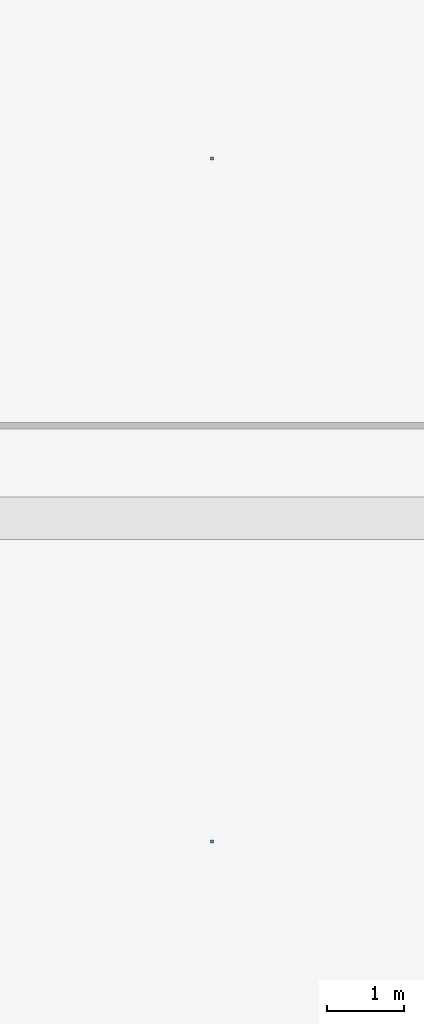
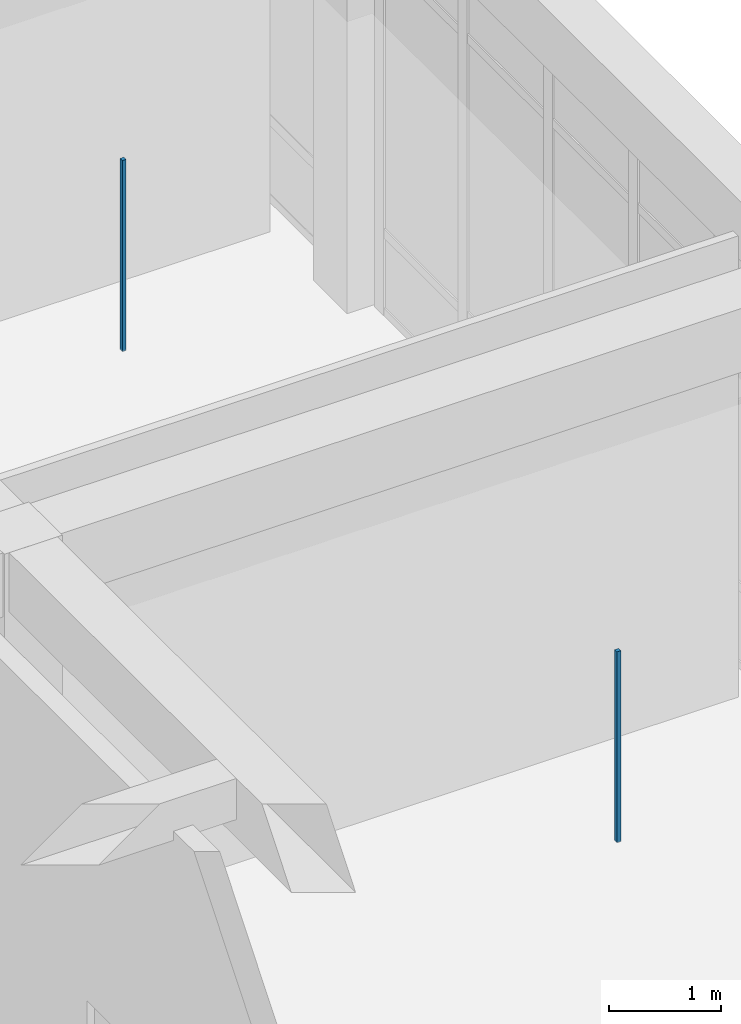
# One storey, part 103 of 157: 2 discrete accessories.
"""IFC4 building model written with IfcOpenShell, lengths in metres."""

import ifcopenshell
import ifcopenshell.guid

model = None  # the IFC model being written
_history = None  # IfcOwnerHistory: only IFC2X3 demands one
_inside = {}  # id of a spatial element -> (the spatial element, [elements in it])
_under = {}  # id of a project, library or spatial element -> (it, [spatial elements below it])
_declared = {}  # id of a project -> (the project, [libraries it declares])
_typed = {}  # id of a type object -> (the type object, [elements of that type])
_made_of = {}  # id of a material, layer set ... -> (it, [elements and type objects made of it])


def new_model(schema):
    """Start an empty IFC model of exactly this schema.

    Asked for "IFC4X3", IfcOpenShell would pick the latest addendum, in which some entities
    have other attributes; the version numbers below select the first issue.
    IFC2X3 requires an IfcOwnerHistory on every rooted entity: one is made here for all.
    """
    global model, _history
    if schema == "IFC4X3":
        model = ifcopenshell.file(schema_version=(4, 3, 0, 0))
    else:
        model = ifcopenshell.file(schema=schema)
    _inside.clear()
    _under.clear()
    _declared.clear()
    _typed.clear()
    _made_of.clear()
    _history = None
    if model.schema == "IFC2X3":
        org = make("IfcOrganization", Name="unknown")
        user = make(
            "IfcPersonAndOrganization",
            ThePerson=make("IfcPerson", FamilyName="unknown"),
            TheOrganization=org,
        )
        app = make(
            "IfcApplication",
            ApplicationDeveloper=org,
            Version="unknown",
            ApplicationFullName="unknown",
            ApplicationIdentifier="unknown",
        )
        _history = make(
            "IfcOwnerHistory",
            OwningUser=user,
            OwningApplication=app,
            ChangeAction="ADDED",
            CreationDate=0,
        )
    return model


def make(cls, **values):
    """One entity of the class cls with the attributes given. An attribute that is None is left unset."""
    return model.create_entity(
        cls, **{name: value for name, value in values.items() if value is not None}
    )


def rooted(cls, **values):
    """An entity with a GlobalId (a new one), such as an element, a storey or a relation."""
    return make(cls, GlobalId=ifcopenshell.guid.new(), OwnerHistory=_history, **values)


def si_unit(unit_type, name, prefix=None):
    """IfcSIUnit, for example si_unit("LENGTHUNIT", "METRE", prefix="MILLI")."""
    return make("IfcSIUnit", UnitType=unit_type, Prefix=prefix, Name=name)


def assignment(units):
    """IfcUnitAssignment: the units of a project."""
    return None if units is None else make("IfcUnitAssignment", Units=units)


def point(xyz):
    """IfcCartesianPoint."""
    return None if xyz is None else make("IfcCartesianPoint", Coordinates=xyz)


def direction(xyz):
    """IfcDirection."""
    return None if xyz is None else make("IfcDirection", DirectionRatios=xyz)


def frame(location, z_axis=None, x_axis=None):
    """IfcAxis2Placement3D, a coordinate frame: its origin and axes. An axis left out is left unset."""
    return make(
        "IfcAxis2Placement3D",
        Location=point(location),
        Axis=direction(z_axis),
        RefDirection=direction(x_axis),
    )


def frame_2d(location, x_axis=None):
    """IfcAxis2Placement2D, a coordinate frame in the plane: its origin and x axis."""
    return make(
        "IfcAxis2Placement2D", Location=point(location), RefDirection=direction(x_axis)
    )


def origin():
    """The frame at (0, 0, 0) with its axes left unset."""
    return frame((0.0, 0.0, 0.0))


def origin_2d():
    """The frame at (0, 0) in the plane with its x axis left unset."""
    return frame_2d((0.0, 0.0))


def place(relative_to, where):
    """IfcLocalPlacement: puts the frame where relative to a parent placement (None: the world)."""
    return make(
        "IfcLocalPlacement", PlacementRelTo=relative_to, RelativePlacement=where
    )


def context(
    kind, dimensions, precision=None, world=None, true_north=None, identifier=None
):
    """IfcGeometricRepresentationContext, for example the 3D "Model" context."""
    return make(
        "IfcGeometricRepresentationContext",
        ContextIdentifier=identifier,
        ContextType=kind,
        CoordinateSpaceDimension=dimensions,
        Precision=precision,
        WorldCoordinateSystem=world,
        TrueNorth=true_north,
    )


def subcontext(parent, identifier, kind, view, scale=None):
    """IfcGeometricRepresentationSubContext, for example "Body" below "Model"."""
    return make(
        "IfcGeometricRepresentationSubContext",
        ContextIdentifier=identifier,
        ContextType=kind,
        ParentContext=parent,
        TargetScale=scale,
        TargetView=view,
    )


def project(units=None, contexts=None):
    """IfcProject with its units and contexts."""
    return rooted(
        "IfcProject",
        Name="project",
        RepresentationContexts=contexts,
        UnitsInContext=assignment(units),
    )


def spatial(cls, under=None, at=None, **own):
    """A site, building, storey or space (cls), placed at a placement, below another one or the project."""
    s = rooted(cls, ObjectPlacement=at, **own)
    if under is not None:
        _under.setdefault(under.id(), (under, []))[1].append(s)
    return s


def profile(cls, at=None, kind="AREA", **sizes):
    """A parametric profile (cls). Its sizes go by their IFC names, for example OverallWidth=200.0."""
    return make(cls, ProfileType=kind, Position=at, **sizes)


def rectangle(**sizes):
    """IfcRectangleProfileDef."""
    return profile("IfcRectangleProfileDef", **sizes)


def extrude(swept, where, along, depth):
    """IfcExtrudedAreaSolid: the profile swept, set in the frame where, extruded along a direction by depth."""
    return make(
        "IfcExtrudedAreaSolid",
        SweptArea=swept,
        Position=where,
        ExtrudedDirection=direction(along),
        Depth=depth,
    )


def shape(context_of_items, identifier, shape_type, items):
    """IfcShapeRepresentation: the items that make up one representation, for example the "Body"."""
    return make(
        "IfcShapeRepresentation",
        ContextOfItems=context_of_items,
        RepresentationIdentifier=identifier,
        RepresentationType=shape_type,
        Items=items,
    )


def material(Name=None, Category=None):
    """IfcMaterial."""
    return make("IfcMaterial", Name=Name, Category=Category)


def made_of(thing, what):
    """Note that an element or type object is made of a material, layer set ...; save() writes the relation."""
    if what is not None:
        _made_of.setdefault(what.id(), (what, []))[1].append(thing)
    return thing


def type_object(cls, material=None, **own):
    """A type object (cls), such as IfcWallType, which elements share."""
    return made_of(rooted(cls, **own), material)


def element(
    cls,
    number,
    at=None,
    inside=None,
    cuts=None,
    type_object=None,
    material=None,
    context=None,
    identifier="Body",
    shape_type=None,
    held_by="IfcProductDefinitionShape",
    body=None,
    shapes=None,
    **own,
):
    """One element of the class cls, such as IfcWall. Its Tag is "e" and its number.

    at: its placement. inside: the storey or other place that contains it. cuts: it is an
    opening in that element (IfcRelVoidsElement). A single representation is given by context,
    identifier, shape_type and body (its items); several are given by shapes. held_by: the class
    of the entity that holds the representations. save() writes the other relations.
    """
    e = rooted(cls, Tag="e%d" % number, ObjectPlacement=at, **own)
    if body is not None:
        shapes = [shape(context, identifier, shape_type, body)]
    if shapes is not None:
        e.Representation = make(held_by, Representations=shapes)
    if inside is not None:
        _inside.setdefault(inside.id(), (inside, []))[1].append(e)
    if cuts is not None:
        rooted(
            "IfcRelVoidsElement", RelatingBuildingElement=cuts, RelatedOpeningElement=e
        )
    if type_object is not None:
        _typed.setdefault(type_object.id(), (type_object, []))[1].append(e)
    return made_of(e, material)


def aggregate(whole, parts):
    """IfcRelAggregates: a whole, such as a stair, and the parts it consists of."""
    return rooted("IfcRelAggregates", RelatingObject=whole, RelatedObjects=parts)


def save(model, path):
    """Write the relations noted so far, then the file.

    IfcRelAggregates (storeys below a building ...), IfcRelContainedInSpatialStructure (elements
    in a storey), IfcRelDefinesByType, IfcRelAssociatesMaterial and IfcRelDeclares: one each for
    every whole, place, type object, material and project.
    """
    for whole, parts in _under.values():
        aggregate(whole, parts)
    for where, things in _inside.values():
        rooted(
            "IfcRelContainedInSpatialStructure",
            RelatedElements=things,
            RelatingStructure=where,
        )
    for kind, things in _typed.values():
        rooted("IfcRelDefinesByType", RelatedObjects=things, RelatingType=kind)
    for what, things in _made_of.values():
        rooted("IfcRelAssociatesMaterial", RelatedObjects=things, RelatingMaterial=what)
    for by, libraries in _declared.values():
        rooted("IfcRelDeclares", RelatingContext=by, RelatedDefinitions=libraries)
    model.write(path)


model = new_model("IFC4")

# Units and contexts
model_context = context("Model", 3, precision=1e-05, world=origin(), true_north=direction((0.0, 1.0)))
body_context = subcontext(model_context, "Body", "Model", "MODEL_VIEW")
ifc_project = project(units=[si_unit("LENGTHUNIT", "METRE"), si_unit("AREAUNIT", "SQUARE_METRE"), si_unit("VOLUMEUNIT", "CUBIC_METRE"), si_unit("PLANEANGLEUNIT", "RADIAN"), si_unit("MASSUNIT", "GRAM", prefix="KILO")], contexts=[model_context])

# Site, building, storey
site_placement = place(None, origin())
site = spatial("IfcSite", under=ifc_project, at=site_placement, CompositionType="ELEMENT")
building_placement = place(site_placement, origin())
building = spatial("IfcBuilding", under=site, at=building_placement, Name="Varncliffe General Hospital", CompositionType="ELEMENT")
storey_placement = place(building_placement, frame((0.0, 0.0, 5.39990234375)))
storey = spatial("IfcBuildingStorey", under=building, at=storey_placement, Name="L01", CompositionType="ELEMENT", Elevation=5.39990234375)

# Discrete accessories
ifc_material = material(Name="Powder-coated hospital steel guardrail and handrail", Category="steel")
discrete_accessory_type = type_object("IfcDiscreteAccessoryType", Name="Suspended Ceiling Hanger Bracket CH01", PredefinedType="BRACKET", material=ifc_material)
for number, where, z_axis, x_axis, name in (
    (1, (20.60009765625, 45.0, 3.18994140625), (0.0, 0.0, 1.0), (1.0, 0.0, 0.0), "L01 Suspended Ceiling Hanger 149"),
    (2, (20.60009765625, 53.8701171875, 3.18994140625), (0.0, 0.0, 1.0), (1.0, 0.0, 0.0), "L01 Suspended Ceiling Hanger 150"),
):
    element("IfcDiscreteAccessory", number, at=place(storey_placement, frame(where, z_axis=z_axis, x_axis=x_axis)), inside=storey, type_object=discrete_accessory_type, Name=name, PredefinedType="BRACKET", context=body_context, shape_type="SweptSolid", body=[
        extrude(rectangle(XDim=0.0400390625, YDim=0.0400390625, at=origin_2d()), origin(), (0.0, 0.0, 1.0), 2.090087890625),
    ])

save(model, "model.ifc")
